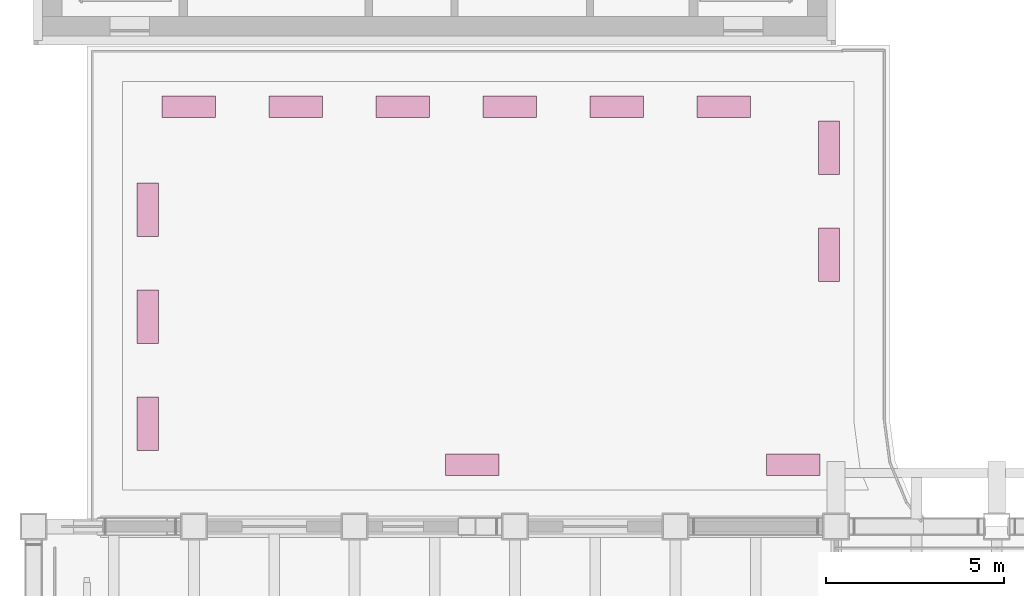
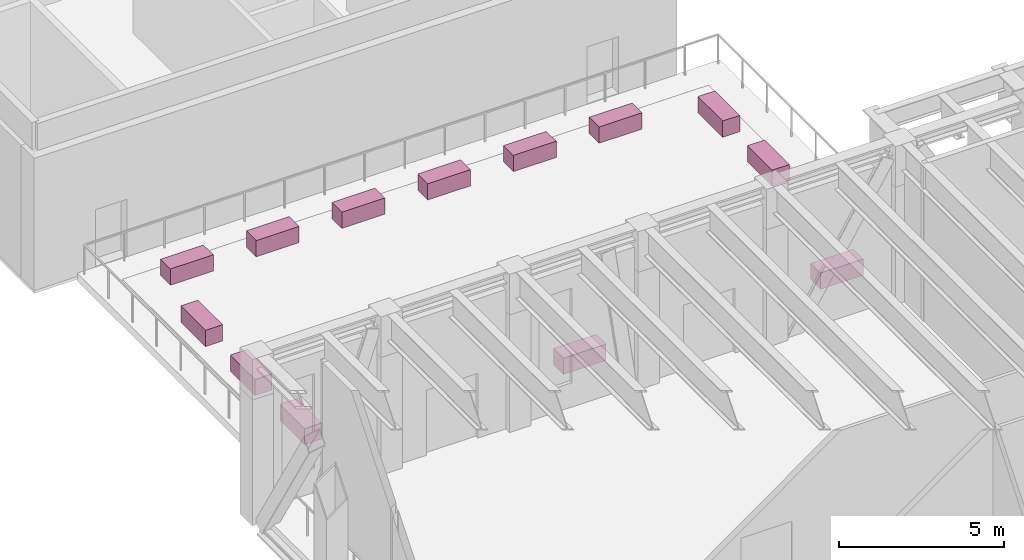
# One storey, part 20 of 20: 13 furniture elements.
"""IFC4 building model written with IfcOpenShell, lengths in metres."""

import ifcopenshell
import ifcopenshell.guid

model = None  # the IFC model being written
_history = None  # IfcOwnerHistory: only IFC2X3 demands one
_inside = {}  # id of a spatial element -> (the spatial element, [elements in it])
_under = {}  # id of a project, library or spatial element -> (it, [spatial elements below it])
_declared = {}  # id of a project -> (the project, [libraries it declares])
_typed = {}  # id of a type object -> (the type object, [elements of that type])
_made_of = {}  # id of a material, layer set ... -> (it, [elements and type objects made of it])


def new_model(schema):
    """Start an empty IFC model of exactly this schema.

    Asked for "IFC4X3", IfcOpenShell would pick the latest addendum, in which some entities
    have other attributes; the version numbers below select the first issue.
    IFC2X3 requires an IfcOwnerHistory on every rooted entity: one is made here for all.
    """
    global model, _history
    if schema == "IFC4X3":
        model = ifcopenshell.file(schema_version=(4, 3, 0, 0))
    else:
        model = ifcopenshell.file(schema=schema)
    _inside.clear()
    _under.clear()
    _declared.clear()
    _typed.clear()
    _made_of.clear()
    _history = None
    if model.schema == "IFC2X3":
        org = make("IfcOrganization", Name="unknown")
        user = make(
            "IfcPersonAndOrganization",
            ThePerson=make("IfcPerson", FamilyName="unknown"),
            TheOrganization=org,
        )
        app = make(
            "IfcApplication",
            ApplicationDeveloper=org,
            Version="unknown",
            ApplicationFullName="unknown",
            ApplicationIdentifier="unknown",
        )
        _history = make(
            "IfcOwnerHistory",
            OwningUser=user,
            OwningApplication=app,
            ChangeAction="ADDED",
            CreationDate=0,
        )
    return model


def make(cls, **values):
    """One entity of the class cls with the attributes given. An attribute that is None is left unset."""
    return model.create_entity(
        cls, **{name: value for name, value in values.items() if value is not None}
    )


def rooted(cls, **values):
    """An entity with a GlobalId (a new one), such as an element, a storey or a relation."""
    return make(cls, GlobalId=ifcopenshell.guid.new(), OwnerHistory=_history, **values)


def si_unit(unit_type, name, prefix=None):
    """IfcSIUnit, for example si_unit("LENGTHUNIT", "METRE", prefix="MILLI")."""
    return make("IfcSIUnit", UnitType=unit_type, Prefix=prefix, Name=name)


def assignment(units):
    """IfcUnitAssignment: the units of a project."""
    return None if units is None else make("IfcUnitAssignment", Units=units)


def point(xyz):
    """IfcCartesianPoint."""
    return None if xyz is None else make("IfcCartesianPoint", Coordinates=xyz)


def direction(xyz):
    """IfcDirection."""
    return None if xyz is None else make("IfcDirection", DirectionRatios=xyz)


def frame(location, z_axis=None, x_axis=None):
    """IfcAxis2Placement3D, a coordinate frame: its origin and axes. An axis left out is left unset."""
    return make(
        "IfcAxis2Placement3D",
        Location=point(location),
        Axis=direction(z_axis),
        RefDirection=direction(x_axis),
    )


def frame_2d(location, x_axis=None):
    """IfcAxis2Placement2D, a coordinate frame in the plane: its origin and x axis."""
    return make(
        "IfcAxis2Placement2D", Location=point(location), RefDirection=direction(x_axis)
    )


def origin():
    """The frame at (0, 0, 0) with its axes left unset."""
    return frame((0.0, 0.0, 0.0))


def origin_2d():
    """The frame at (0, 0) in the plane with its x axis left unset."""
    return frame_2d((0.0, 0.0))


def place(relative_to, where):
    """IfcLocalPlacement: puts the frame where relative to a parent placement (None: the world)."""
    return make(
        "IfcLocalPlacement", PlacementRelTo=relative_to, RelativePlacement=where
    )


def context(
    kind, dimensions, precision=None, world=None, true_north=None, identifier=None
):
    """IfcGeometricRepresentationContext, for example the 3D "Model" context."""
    return make(
        "IfcGeometricRepresentationContext",
        ContextIdentifier=identifier,
        ContextType=kind,
        CoordinateSpaceDimension=dimensions,
        Precision=precision,
        WorldCoordinateSystem=world,
        TrueNorth=true_north,
    )


def subcontext(parent, identifier, kind, view, scale=None):
    """IfcGeometricRepresentationSubContext, for example "Body" below "Model"."""
    return make(
        "IfcGeometricRepresentationSubContext",
        ContextIdentifier=identifier,
        ContextType=kind,
        ParentContext=parent,
        TargetScale=scale,
        TargetView=view,
    )


def project(units=None, contexts=None):
    """IfcProject with its units and contexts."""
    return rooted(
        "IfcProject",
        Name="project",
        RepresentationContexts=contexts,
        UnitsInContext=assignment(units),
    )


def spatial(cls, under=None, at=None, **own):
    """A site, building, storey or space (cls), placed at a placement, below another one or the project."""
    s = rooted(cls, ObjectPlacement=at, **own)
    if under is not None:
        _under.setdefault(under.id(), (under, []))[1].append(s)
    return s


def profile(cls, at=None, kind="AREA", **sizes):
    """A parametric profile (cls). Its sizes go by their IFC names, for example OverallWidth=200.0."""
    return make(cls, ProfileType=kind, Position=at, **sizes)


def rectangle(**sizes):
    """IfcRectangleProfileDef."""
    return profile("IfcRectangleProfileDef", **sizes)


def extrude(swept, where, along, depth):
    """IfcExtrudedAreaSolid: the profile swept, set in the frame where, extruded along a direction by depth."""
    return make(
        "IfcExtrudedAreaSolid",
        SweptArea=swept,
        Position=where,
        ExtrudedDirection=direction(along),
        Depth=depth,
    )


def shape(context_of_items, identifier, shape_type, items):
    """IfcShapeRepresentation: the items that make up one representation, for example the "Body"."""
    return make(
        "IfcShapeRepresentation",
        ContextOfItems=context_of_items,
        RepresentationIdentifier=identifier,
        RepresentationType=shape_type,
        Items=items,
    )


def material(Name=None, Category=None):
    """IfcMaterial."""
    return make("IfcMaterial", Name=Name, Category=Category)


def made_of(thing, what):
    """Note that an element or type object is made of a material, layer set ...; save() writes the relation."""
    if what is not None:
        _made_of.setdefault(what.id(), (what, []))[1].append(thing)
    return thing


def type_object(cls, material=None, **own):
    """A type object (cls), such as IfcWallType, which elements share."""
    return made_of(rooted(cls, **own), material)


def element(
    cls,
    number,
    at=None,
    inside=None,
    cuts=None,
    type_object=None,
    material=None,
    context=None,
    identifier="Body",
    shape_type=None,
    held_by="IfcProductDefinitionShape",
    body=None,
    shapes=None,
    **own,
):
    """One element of the class cls, such as IfcWall. Its Tag is "e" and its number.

    at: its placement. inside: the storey or other place that contains it. cuts: it is an
    opening in that element (IfcRelVoidsElement). A single representation is given by context,
    identifier, shape_type and body (its items); several are given by shapes. held_by: the class
    of the entity that holds the representations. save() writes the other relations.
    """
    e = rooted(cls, Tag="e%d" % number, ObjectPlacement=at, **own)
    if body is not None:
        shapes = [shape(context, identifier, shape_type, body)]
    if shapes is not None:
        e.Representation = make(held_by, Representations=shapes)
    if inside is not None:
        _inside.setdefault(inside.id(), (inside, []))[1].append(e)
    if cuts is not None:
        rooted(
            "IfcRelVoidsElement", RelatingBuildingElement=cuts, RelatedOpeningElement=e
        )
    if type_object is not None:
        _typed.setdefault(type_object.id(), (type_object, []))[1].append(e)
    return made_of(e, material)


def aggregate(whole, parts):
    """IfcRelAggregates: a whole, such as a stair, and the parts it consists of."""
    return rooted("IfcRelAggregates", RelatingObject=whole, RelatedObjects=parts)


def save(model, path):
    """Write the relations noted so far, then the file.

    IfcRelAggregates (storeys below a building ...), IfcRelContainedInSpatialStructure (elements
    in a storey), IfcRelDefinesByType, IfcRelAssociatesMaterial and IfcRelDeclares: one each for
    every whole, place, type object, material and project.
    """
    for whole, parts in _under.values():
        aggregate(whole, parts)
    for where, things in _inside.values():
        rooted(
            "IfcRelContainedInSpatialStructure",
            RelatedElements=things,
            RelatingStructure=where,
        )
    for kind, things in _typed.values():
        rooted("IfcRelDefinesByType", RelatedObjects=things, RelatingType=kind)
    for what, things in _made_of.values():
        rooted("IfcRelAssociatesMaterial", RelatedObjects=things, RelatingMaterial=what)
    for by, libraries in _declared.values():
        rooted("IfcRelDeclares", RelatingContext=by, RelatedDefinitions=libraries)
    model.write(path)


model = new_model("IFC4")

# Units and contexts
model_context = context("Model", 3, precision=1e-05, world=origin(), true_north=direction((0.0, 1.0)))
body_context = subcontext(model_context, "Body", "Model", "MODEL_VIEW")
ifc_project = project(units=[si_unit("LENGTHUNIT", "METRE"), si_unit("AREAUNIT", "SQUARE_METRE"), si_unit("VOLUMEUNIT", "CUBIC_METRE"), si_unit("PLANEANGLEUNIT", "RADIAN"), si_unit("MASSUNIT", "GRAM", prefix="KILO")], contexts=[model_context])

# Site, building, storey
site_placement = place(None, origin())
site = spatial("IfcSite", under=ifc_project, at=site_placement, CompositionType="ELEMENT")
building_placement = place(site_placement, origin())
building = spatial("IfcBuilding", under=site, at=building_placement, Name="Sennacour Bend Tower", CompositionType="ELEMENT")
storey_placement = place(building_placement, frame((0.0, 0.0, 243.0)))
storey = spatial("IfcBuildingStorey", under=building, at=storey_placement, Name="L56", CompositionType="ELEMENT", Elevation=243.0)

# Furniture
ifc_material = material(Name="Planting soil with planting")
furniture_type = type_object("IfcFurnitureType", Name="PL-PLANTER-1500", AssemblyPlace="NOTDEFINED", PredefinedType="USERDEFINED", material=ifc_material)
for number, where, z_axis, x_axis, name in (
    (1, (22.300048828125, 33.1201171875, 0.030029296875), (0.0, 0.0, 1.0), (0.0, -1.0, 0.0), "Planter"),
    (2, (22.300048828125, 30.1201171875, 0.030029296875), (0.0, 0.0, 1.0), (0.0, -1.0, 0.0), "Planter"),
    (3, (21.302490234375, 24.22998046875, 0.030029296875), (0.0, 0.0, 1.0), (-1.0, 0.0, 0.0), "Planter"),
    (4, (12.302490234375, 24.22998046875, 0.030029296875), (0.0, 0.0, 1.0), (-1.0, 0.0, 0.0), "Planter"),
    (5, (3.199951171875, 25.3798828125, 0.030029296875), (0.0, 0.0, 1.0), (0.0, 1.0, 0.0), "Planter"),
    (6, (3.199951171875, 28.3798828125, 0.030029296875), (0.0, 0.0, 1.0), (0.0, 1.0, 0.0), "Planter"),
    (7, (3.199951171875, 31.3798828125, 0.030029296875), (0.0, 0.0, 1.0), (0.0, 1.0, 0.0), "Planter"),
    (8, (4.35009765625, 34.27001953125, 0.030029296875), (0.0, 0.0, 1.0), (1.0, 0.0, 0.0), "Planter"),
    (9, (7.35009765625, 34.27001953125, 0.030029296875), (0.0, 0.0, 1.0), (1.0, 0.0, 0.0), "Planter"),
    (10, (10.35009765625, 34.27001953125, 0.030029296875), (0.0, 0.0, 1.0), (1.0, 0.0, 0.0), "Planter"),
    (11, (13.35009765625, 34.27001953125, 0.030029296875), (0.0, 0.0, 1.0), (1.0, 0.0, 0.0), "Planter"),
    (12, (16.35009765625, 34.27001953125, 0.030029296875), (0.0, 0.0, 1.0), (1.0, 0.0, 0.0), "Planter"),
    (13, (19.35009765625, 34.27001953125, 0.030029296875), (0.0, 0.0, 1.0), (1.0, 0.0, 0.0), "Planter"),
):
    element("IfcFurniture", number, at=place(storey_placement, frame(where, z_axis=z_axis, x_axis=x_axis)), inside=storey, type_object=furniture_type, Name=name, ObjectType="PLANTER", PredefinedType="USERDEFINED", context=body_context, shape_type="SweptSolid", body=[
        extrude(rectangle(XDim=1.5, YDim=0.60009765625, at=origin_2d()), origin(), (0.0, 0.0, 1.0), 0.60009765625),
    ])

save(model, "model.ifc")
